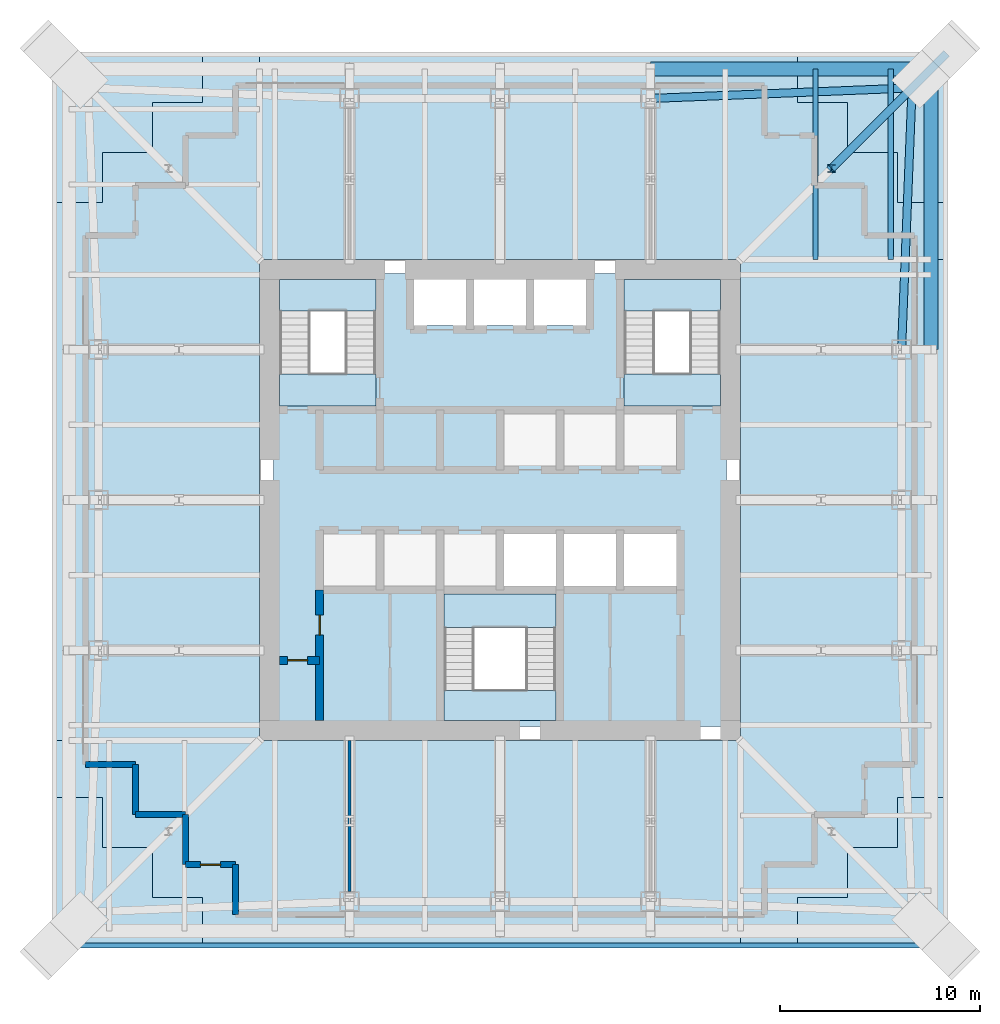
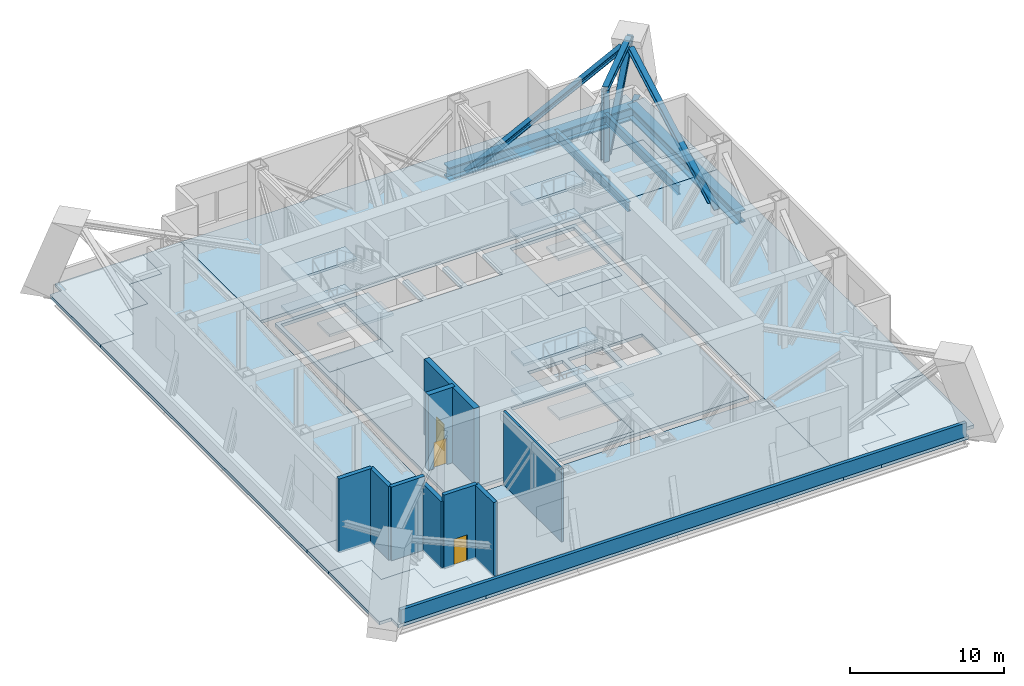
# One storey, part 4 of 9: 21 slabs, 10 walls, 6 members, 4 beams, 3 doors, 3 openings, 3 elements without a shape of their own.
"""IFC4 building model written with IfcOpenShell, lengths in metres."""

from ifc_helpers import new_model, si_unit, direction, frame, frame_2d, origin, origin_2d, place, context, subcontext, project, spatial, polyline, rectangle, i_section, outline, extrude, clip, halfspace, material, layer, layer_set, material_profile, profile_set, type_object, element, fill, aggregate, save


model = new_model("IFC4")

# Units and contexts
model_context = context("Model", 3, precision=1e-05, world=origin(), true_north=direction((0.0, 1.0)))
body_context = subcontext(model_context, "Body", "Model", "MODEL_VIEW")
ifc_project = project(units=[si_unit("LENGTHUNIT", "METRE"), si_unit("AREAUNIT", "SQUARE_METRE"), si_unit("VOLUMEUNIT", "CUBIC_METRE"), si_unit("PLANEANGLEUNIT", "RADIAN"), si_unit("MASSUNIT", "GRAM", prefix="KILO")], contexts=[model_context])

# Site, building, storey
site_placement = place(None, origin())
site = spatial("IfcSite", under=ifc_project, at=site_placement, CompositionType="ELEMENT")
building_placement = place(site_placement, origin())
building = spatial("IfcBuilding", under=site, at=building_placement, Name="Tarangal Relay Tower", CompositionType="ELEMENT")
storey_placement = place(building_placement, frame((0.0, 0.0, 253.89990234375)))
storey = spatial("IfcBuildingStorey", under=building, at=storey_placement, Name="L55", CompositionType="ELEMENT", Elevation=253.89990234375)

# Members
ifc_material_1 = material(Name="Steel ASTM A992", Category="steel")
ifc_material_profile_1 = material_profile(ifc_material_1, i_section(OverallWidth=0.40380859375, OverallDepth=0.406494140625, WebThickness=0.027099609375, FlangeThickness=0.043701171875, at=origin_2d()), Name="W14X233")
ifc_profile_set_1 = profile_set([ifc_material_profile_1], Name="Steel ASTM A992")
member_type_1 = type_object("IfcMemberType", Name="Belt truss brace W14X233", PredefinedType="BRACE", material=ifc_profile_set_1)
for number, where, z_axis, x_axis, name in (
    (1, (7.5, 20.0400390625, -0.4873046875), (0.908043977313, 0.036609871243, 0.417271916853), (-0.040284561108, 0.999188247597, 0.0), "Belt truss N L55 end brace"),
    (2, (20.0400390625, 7.5, -0.4873046875), (0.036609871243, 0.908043977313, 0.417271916853), (-0.999188247597, 0.040284561108, 0.0), "Belt truss E L55 end brace"),
):
    element("IfcMember", number, at=place(storey_placement, frame(where, z_axis=z_axis, x_axis=x_axis)), inside=storey, type_object=member_type_1, Name=name, PredefinedType="BRACE", context=body_context, shape_type="SweptSolid", body=[
        extrude(i_section(OverallWidth=0.40380859375, OverallDepth=0.406494140625, WebThickness=0.027099609375, FlangeThickness=0.043701171875, at=origin_2d()), origin(), (0.0, 0.0, 1.0), 13.930908203125),
    ])

# Beams
ifc_material_profile_2 = material_profile(ifc_material_1, i_section(OverallWidth=0.2666015625, OverallDepth=0.761962890625, WebThickness=0.014404296875, FlangeThickness=0.021484375, at=origin_2d()), Name="W30X116")
ifc_profile_set_2 = profile_set([ifc_material_profile_2], Name="Steel ASTM A992")
beam_type_1 = type_object("IfcBeamType", Name="Corner beam W30X116", PredefinedType="JOIST", material=ifc_profile_set_2)
for number, where, z_axis, x_axis, name in (
    (3, (15.75, 12.0, -0.630859375), (0.0, 1.0, 0.0), (-1.0, 0.0, 0.0), "Corner beam CB1 N L55"),
    (4, (19.5, 12.0, -0.630859375), (0.0, 1.0, 0.0), (-1.0, 0.0, 0.0), "Corner beam CB1 N L55"),
):
    element("IfcBeam", number, at=place(storey_placement, frame(where, z_axis=z_axis, x_axis=x_axis)), inside=storey, type_object=beam_type_1, Name=name, PredefinedType="JOIST", context=body_context, shape_type="SweptSolid", body=[
        extrude(i_section(OverallWidth=0.2666015625, OverallDepth=0.761962890625, WebThickness=0.014404296875, FlangeThickness=0.021484375, at=origin_2d()), origin(), (0.0, 0.0, 1.0), 9.514892578125),
    ])
ifc_material_2 = material(Name="Steel ASTM A572 Grade 50", Category="steel")
ifc_material_profile_3 = material_profile(ifc_material_2, i_section(OverallWidth=0.699951171875, OverallDepth=1.0, WebThickness=0.030029296875, FlangeThickness=0.10009765625, at=origin_2d()), Name="PG1000X700X100X30")
ifc_profile_set_3 = profile_set([ifc_material_profile_3], Name="Steel ASTM A572 Grade 50")
beam_type_2 = type_object("IfcBeamType", Name="Edge girder PG1000X700X100X30", PredefinedType="SPANDREL", material=ifc_profile_set_3)
for number, where, z_axis, x_axis, name in (
    (5, (7.5, 21.514892578125, -0.75), (1.0, 0.0, 0.0), (0.0, 1.0, 0.0), "Edge girder EG13 N L55"),
    (6, (21.514892578125, 21.64990234375, -0.75), (0.0, -1.0, 0.0), (1.0, 0.0, 0.0), "Edge girder EG13 E L55"),
):
    element("IfcBeam", number, at=place(storey_placement, frame(where, z_axis=z_axis, x_axis=x_axis)), inside=storey, type_object=beam_type_2, Name=name, PredefinedType="SPANDREL", context=body_context, shape_type="SweptSolid", body=[
        extrude(i_section(OverallWidth=0.699951171875, OverallDepth=1.0, WebThickness=0.030029296875, FlangeThickness=0.10009765625, at=origin_2d()), origin(), (0.0, 0.0, 1.0), 14.14990234375),
    ])

# Members
ifc_material_profile_4 = material_profile(ifc_material_1, i_section(OverallWidth=0.41162109375, OverallDepth=0.434326171875, WebThickness=0.035888671875, FlangeThickness=0.057373046875, at=origin_2d()), Name="W14X311")
ifc_profile_set_4 = profile_set([ifc_material_profile_4], Name="Steel ASTM A992")
member_type_2 = type_object("IfcMemberType", Name="Outrigger chord W14X311", PredefinedType="CHORD", material=ifc_profile_set_4)
member_1_placement = place(storey_placement, frame((16.5458984375, 16.5458984375, -0.467041015625), z_axis=(0.707106781187, 0.707106781187, 0.0), x_axis=(-0.707106781187, 0.707106781187, 0.0)))
element("IfcMember", 7, at=member_1_placement, inside=storey, type_object=member_type_2, Name="Outrigger NE L55 bottom chord", PredefinedType="CHORD", context=body_context, shape_type="Clipping", body=[
    clip(extrude(i_section(OverallWidth=0.41162109375, OverallDepth=0.434326171875, WebThickness=0.035888671875, FlangeThickness=0.057373046875, at=origin_2d()), origin(), (0.0, 0.0, 1.0), 8.42041015625), halfspace(frame((0.0, 0.0, 8.1298828125)), False)),
])
member_2_placement = place(storey_placement, frame((16.5458984375, 16.5458984375, 5.6328125), z_axis=(0.707106781187, 0.707106781187, 0.0), x_axis=(-0.707106781187, 0.707106781187, 0.0)))
element("IfcMember", 8, at=member_2_placement, inside=storey, type_object=member_type_2, Name="Outrigger NE L55 top chord", PredefinedType="CHORD", context=body_context, shape_type="Clipping", body=[
    clip(extrude(i_section(OverallWidth=0.41162109375, OverallDepth=0.434326171875, WebThickness=0.035888671875, FlangeThickness=0.057373046875, at=origin_2d()), origin(), (0.0, 0.0, 1.0), 6.428955078125), halfspace(frame((0.0, 0.0, 6.008544921875)), False)),
])
ifc_material_profile_5 = material_profile(ifc_material_1, i_section(OverallWidth=0.40380859375, OverallDepth=0.406494140625, WebThickness=0.027099609375, FlangeThickness=0.043701171875, at=origin_2d()), Name="W14X233")
ifc_profile_set_5 = profile_set([ifc_material_profile_5], Name="Steel ASTM A992")
member_type_3 = type_object("IfcMemberType", Name="Outrigger web W14X233", PredefinedType="STRUT", material=ifc_profile_set_5)
member_3_placement = place(storey_placement, frame((16.5458984375, 16.5458984375, -0.467041015625), z_axis=(0.0, 0.0, 1.0), x_axis=(1.0, 0.0, 0.0)))
element("IfcMember", 9, at=member_3_placement, inside=storey, type_object=member_type_3, Name="Outrigger NE L55 vertical", PredefinedType="STRUT", context=body_context, shape_type="SweptSolid", body=[
    extrude(i_section(OverallWidth=0.40380859375, OverallDepth=0.406494140625, WebThickness=0.027099609375, FlangeThickness=0.043701171875, at=origin_2d()), origin(), (0.0, 0.0, 1.0), 6.099853515625),
])
member_4_placement = place(storey_placement, frame((16.5458984375, 16.5458984375, -0.467041015625), z_axis=(0.512953687451, 0.512953687451, 0.688300101018), x_axis=(-0.707106781187, 0.707106781187, 0.0)))
element("IfcMember", 10, at=member_4_placement, inside=storey, type_object=member_type_3, Name="Outrigger NE L55 diagonal", PredefinedType="STRUT", context=body_context, shape_type="SweptSolid", body=[
    extrude(i_section(OverallWidth=0.40380859375, OverallDepth=0.406494140625, WebThickness=0.027099609375, FlangeThickness=0.043701171875, at=origin_2d()), origin(), (0.0, 0.0, 1.0), 8.8623046875),
])

# Slabs
ifc_material_3 = material(Name="Concrete fc' 35 MPa", Category="concrete")
ifc_layer_1 = layer(ifc_material_3, 0.25)
ifc_layer_set_1 = layer_set([ifc_layer_1], Name="Core floor slab 250")
slab_type_1 = type_object("IfcSlabType", Name="Core floor slab 250", PredefinedType="FLOOR", material=ifc_layer_set_1)
slab_1_placement = place(storey_placement, frame((0.0, 0.0, -0.25)))
element("IfcSlab", 11, at=slab_1_placement, inside=storey, type_object=slab_type_1, Name="Core floor slab L55", PredefinedType="FLOOR", context=body_context, shape_type="SweptSolid", body=[
    extrude(outline(polyline([(11.300048828125, 11.300048828125), (11.300048828125, -11.300048828125), (-11.300048828125, -11.300048828125), (-11.300048828125, 11.300048828125), (-4.300048828125, 11.300048828125), (-4.300048828125, 8.699951171875), (-1.699951171875, 8.699951171875), (-1.699951171875, 11.300048828125), (-1.300048828125, 11.300048828125), (-1.300048828125, 8.699951171875), (1.300048828125, 8.699951171875), (1.300048828125, 11.300048828125), (1.699951171875, 11.300048828125), (1.699951171875, 8.699951171875), (4.300048828125, 8.699951171875), (4.300048828125, 11.300048828125), (11.300048828125, 11.300048828125)]), holes=[polyline([(2.800048828125, -4.699951171875), (-2.800048828125, -4.699951171875), (-2.800048828125, -11.0), (2.800048828125, -11.0), (2.800048828125, -4.699951171875)]), polyline([(2.800048828125, -1.699951171875), (0.199951171875, -1.699951171875), (0.199951171875, -4.300048828125), (2.800048828125, -4.300048828125), (2.800048828125, -1.699951171875)]), polyline([(5.800048828125, -1.699951171875), (3.199951171875, -1.699951171875), (3.199951171875, -4.300048828125), (5.800048828125, -4.300048828125), (5.800048828125, -1.699951171875)]), polyline([(8.800048828125, -1.699951171875), (6.199951171875, -1.699951171875), (6.199951171875, -4.300048828125), (8.800048828125, -4.300048828125), (8.800048828125, -1.699951171875)]), polyline([(-6.199951171875, 11.0), (-11.0, 11.0), (-11.0, 4.699951171875), (-6.199951171875, 4.699951171875), (-6.199951171875, 11.0)]), polyline([(11.0, 11.0), (6.199951171875, 11.0), (6.199951171875, 4.699951171875), (11.0, 4.699951171875), (11.0, 11.0)])]), origin(), (0.0, 0.0, 1.0), 0.25),
])
ifc_layer_2 = layer(ifc_material_3, 0.25)
ifc_layer_set_2 = layer_set([ifc_layer_2], Name="Floor slab 250")
slab_type_2 = type_object("IfcSlabType", Name="Floor slab 250", PredefinedType="FLOOR", material=ifc_layer_set_2)
slab_2_placement = place(storey_placement, frame((0.0, 0.0, -0.25)))
element("IfcSlab", 12, at=slab_2_placement, inside=storey, type_object=slab_type_2, Name="Floor slab FS1 L55 north bay", PredefinedType="FLOOR", context=body_context, shape_type="SweptSolid", body=[
    extrude(outline(polyline([(14.85009765625, 22.35009765625), (14.85009765625, 19.85009765625), (17.35009765625, 19.85009765625), (17.35009765625, 17.35009765625), (19.85009765625, 17.35009765625), (19.85009765625, 14.85009765625), (22.35009765625, 14.85009765625), (22.35009765625, 12.0), (-12.0, 12.0), (-12.0, 22.35009765625), (14.85009765625, 22.35009765625)])), origin(), (0.0, 0.0, 1.0), 0.25),
])
slab_3_placement = place(storey_placement, frame((0.0, 0.0, -0.25)))
element("IfcSlab", 13, at=slab_3_placement, inside=storey, type_object=slab_type_2, Name="Floor slab FS1 L55 east bay", PredefinedType="FLOOR", context=body_context, shape_type="SweptSolid", body=[
    extrude(outline(polyline([(22.35009765625, -14.85009765625), (19.85009765625, -14.85009765625), (19.85009765625, -17.35009765625), (17.35009765625, -17.35009765625), (17.35009765625, -19.85009765625), (14.85009765625, -19.85009765625), (14.85009765625, -22.35009765625), (12.0, -22.35009765625), (12.0, 12.0), (22.35009765625, 12.0), (22.35009765625, -14.85009765625)])), origin(), (0.0, 0.0, 1.0), 0.25),
])
slab_4_placement = place(storey_placement, frame((0.0, 0.0, -0.25)))
element("IfcSlab", 14, at=slab_4_placement, inside=storey, type_object=slab_type_2, Name="Floor slab FS1 L55 south bay", PredefinedType="FLOOR", context=body_context, shape_type="SweptSolid", body=[
    extrude(outline(polyline([(-14.85009765625, -22.35009765625), (-14.85009765625, -19.85009765625), (-17.35009765625, -19.85009765625), (-17.35009765625, -17.35009765625), (-19.85009765625, -17.35009765625), (-19.85009765625, -14.85009765625), (-22.35009765625, -14.85009765625), (-22.35009765625, -12.0), (12.0, -12.0), (12.0, -22.35009765625), (-14.85009765625, -22.35009765625)])), origin(), (0.0, 0.0, 1.0), 0.25),
])
slab_5_placement = place(storey_placement, frame((0.0, 0.0, -0.25)))
element("IfcSlab", 15, at=slab_5_placement, inside=storey, type_object=slab_type_2, Name="Floor slab FS1 L55 west bay", PredefinedType="FLOOR", context=body_context, shape_type="SweptSolid", body=[
    extrude(outline(polyline([(-12.0, 22.35009765625), (-12.0, -12.0), (-22.35009765625, -12.0), (-22.35009765625, 14.85009765625), (-19.85009765625, 14.85009765625), (-19.85009765625, 17.35009765625), (-17.35009765625, 17.35009765625), (-17.35009765625, 19.85009765625), (-14.85009765625, 19.85009765625), (-14.85009765625, 22.35009765625), (-12.0, 22.35009765625)])), origin(), (0.0, 0.0, 1.0), 0.25),
])
ifc_layer_3 = layer(ifc_material_3, 0.25)
ifc_layer_set_3 = layer_set([ifc_layer_3], Name="Ledge slab 250")
slab_type_3 = type_object("IfcSlabType", Name="Ledge slab 250", PredefinedType="FLOOR", material=ifc_layer_set_3)
slab_6_placement = place(storey_placement, frame((0.0, 0.0, -0.25)))
element("IfcSlab", 16, at=slab_6_placement, inside=storey, type_object=slab_type_3, Name="Corner ledge NE L55", PredefinedType="FLOOR", context=body_context, shape_type="SweptSolid", body=[
    extrude(outline(polyline([(14.85009765625, 22.35009765625), (14.85009765625, 19.85009765625), (17.35009765625, 19.85009765625), (17.35009765625, 17.35009765625), (19.85009765625, 17.35009765625), (19.85009765625, 14.85009765625), (22.35009765625, 14.85009765625), (22.35009765625, 21.449951171875), (21.449951171875, 21.449951171875), (21.449951171875, 22.35009765625), (14.85009765625, 22.35009765625)])), origin(), (0.0, 0.0, 1.0), 0.25),
])
slab_7_placement = place(storey_placement, frame((0.0, 0.0, -0.25)))
element("IfcSlab", 17, at=slab_7_placement, inside=storey, type_object=slab_type_3, Name="Corner ledge SE L55", PredefinedType="FLOOR", context=body_context, shape_type="SweptSolid", body=[
    extrude(outline(polyline([(22.35009765625, -14.85009765625), (19.85009765625, -14.85009765625), (19.85009765625, -17.35009765625), (17.35009765625, -17.35009765625), (17.35009765625, -19.85009765625), (14.85009765625, -19.85009765625), (14.85009765625, -22.35009765625), (21.449951171875, -22.35009765625), (21.449951171875, -21.449951171875), (22.35009765625, -21.449951171875), (22.35009765625, -14.85009765625)])), origin(), (0.0, 0.0, 1.0), 0.25),
])
slab_8_placement = place(storey_placement, frame((0.0, 0.0, -0.25)))
element("IfcSlab", 18, at=slab_8_placement, inside=storey, type_object=slab_type_3, Name="Corner ledge SW L55", PredefinedType="FLOOR", context=body_context, shape_type="SweptSolid", body=[
    extrude(outline(polyline([(-14.85009765625, -22.35009765625), (-14.85009765625, -19.85009765625), (-17.35009765625, -19.85009765625), (-17.35009765625, -17.35009765625), (-19.85009765625, -17.35009765625), (-19.85009765625, -14.85009765625), (-22.35009765625, -14.85009765625), (-22.35009765625, -21.449951171875), (-21.449951171875, -21.449951171875), (-21.449951171875, -22.35009765625), (-14.85009765625, -22.35009765625)])), origin(), (0.0, 0.0, 1.0), 0.25),
])
slab_9_placement = place(storey_placement, frame((0.0, 0.0, -0.25)))
element("IfcSlab", 19, at=slab_9_placement, inside=storey, type_object=slab_type_3, Name="Corner ledge NW L55", PredefinedType="FLOOR", context=body_context, shape_type="SweptSolid", body=[
    extrude(outline(polyline([(-22.35009765625, 14.85009765625), (-19.85009765625, 14.85009765625), (-19.85009765625, 17.35009765625), (-17.35009765625, 17.35009765625), (-17.35009765625, 19.85009765625), (-14.85009765625, 19.85009765625), (-14.85009765625, 22.35009765625), (-21.449951171875, 22.35009765625), (-21.449951171875, 21.449951171875), (-22.35009765625, 21.449951171875), (-22.35009765625, 14.85009765625)])), origin(), (0.0, 0.0, 1.0), 0.25),
])

# Stair, slabs
ifc_material_4 = material(Name="Steel ASTM A992 stair flight", Category="steel")
stair_type = type_object("IfcStairType", Name="Core stair 1500", PredefinedType="HALF_TURN_STAIR", material=ifc_material_4)
stair_1_placement = place(storey_placement, origin())
stair_1 = element("IfcStair", 20, at=stair_1_placement, inside=storey, type_object=stair_type, Name="Stair ST-A L55", PredefinedType="HALF_TURN_STAIR")
ifc_layer_4 = layer(ifc_material_3, 0.199951171875)
ifc_layer_set_4 = layer_set([ifc_layer_4], Name="Stair landing 200")
slab_type_4 = type_object("IfcSlabType", Name="Stair landing 200", PredefinedType="LANDING", material=ifc_layer_set_4)
slab_10_placement = place(storey_placement, frame((0.0, 0.0, -0.199951171875)))
slab_10 = element("IfcSlab", 21, at=slab_10_placement, type_object=slab_type_4, Name="ST-A landing 1", PredefinedType="LANDING", context=body_context, shape_type="SweptSolid", body=[
    extrude(outline(polyline([(-11.0, 4.699951171875), (-6.199951171875, 4.699951171875), (-6.199951171875, 6.300048828125), (-11.0, 6.300048828125), (-11.0, 4.699951171875)])), origin(), (0.0, 0.0, 1.0), 0.199951171875),
])
slab_11_placement = place(storey_placement, frame((0.0, 0.0, 1.300048828125)))
slab_11 = element("IfcSlab", 22, at=slab_11_placement, type_object=slab_type_4, Name="ST-A landing 2", PredefinedType="LANDING", context=body_context, shape_type="SweptSolid", body=[
    extrude(outline(polyline([(-11.0, 9.431884765625), (-6.199951171875, 9.431884765625), (-6.199951171875, 11.0), (-11.0, 11.0), (-11.0, 9.431884765625)])), origin(), (0.0, 0.0, 1.0), 0.199951171875),
])
slab_12_placement = place(storey_placement, frame((0.0, 0.0, 2.800048828125)))
slab_12 = element("IfcSlab", 23, at=slab_12_placement, type_object=slab_type_4, Name="ST-A landing 3", PredefinedType="LANDING", context=body_context, shape_type="SweptSolid", body=[
    extrude(outline(polyline([(-11.0, 4.699951171875), (-6.199951171875, 4.699951171875), (-6.199951171875, 6.300048828125), (-11.0, 6.300048828125), (-11.0, 4.699951171875)])), origin(), (0.0, 0.0, 1.0), 0.199951171875),
])
slab_13_placement = place(storey_placement, frame((0.0, 0.0, 4.300048828125)))
slab_13 = element("IfcSlab", 24, at=slab_13_placement, type_object=slab_type_4, Name="ST-A landing 4", PredefinedType="LANDING", context=body_context, shape_type="SweptSolid", body=[
    extrude(outline(polyline([(-11.0, 9.431884765625), (-6.199951171875, 9.431884765625), (-6.199951171875, 11.0), (-11.0, 11.0), (-11.0, 9.431884765625)])), origin(), (0.0, 0.0, 1.0), 0.199951171875),
])
aggregate(stair_1, [slab_10, slab_11, slab_12, slab_13])

stair_2_placement = place(storey_placement, origin())
stair_2 = element("IfcStair", 25, at=stair_2_placement, inside=storey, type_object=stair_type, Name="Stair ST-B L55", PredefinedType="HALF_TURN_STAIR")
slab_14_placement = place(storey_placement, frame((0.0, 0.0, -0.199951171875)))
slab_14 = element("IfcSlab", 26, at=slab_14_placement, type_object=slab_type_4, Name="ST-B landing 1", PredefinedType="LANDING", context=body_context, shape_type="SweptSolid", body=[
    extrude(outline(polyline([(6.199951171875, 4.699951171875), (11.0, 4.699951171875), (11.0, 6.300048828125), (6.199951171875, 6.300048828125), (6.199951171875, 4.699951171875)])), origin(), (0.0, 0.0, 1.0), 0.199951171875),
])
slab_15_placement = place(storey_placement, frame((0.0, 0.0, 1.300048828125)))
slab_15 = element("IfcSlab", 27, at=slab_15_placement, type_object=slab_type_4, Name="ST-B landing 2", PredefinedType="LANDING", context=body_context, shape_type="SweptSolid", body=[
    extrude(outline(polyline([(6.199951171875, 9.431884765625), (11.0, 9.431884765625), (11.0, 11.0), (6.199951171875, 11.0), (6.199951171875, 9.431884765625)])), origin(), (0.0, 0.0, 1.0), 0.199951171875),
])
slab_16_placement = place(storey_placement, frame((0.0, 0.0, 2.800048828125)))
slab_16 = element("IfcSlab", 28, at=slab_16_placement, type_object=slab_type_4, Name="ST-B landing 3", PredefinedType="LANDING", context=body_context, shape_type="SweptSolid", body=[
    extrude(outline(polyline([(6.199951171875, 4.699951171875), (11.0, 4.699951171875), (11.0, 6.300048828125), (6.199951171875, 6.300048828125), (6.199951171875, 4.699951171875)])), origin(), (0.0, 0.0, 1.0), 0.199951171875),
])
slab_17_placement = place(storey_placement, frame((0.0, 0.0, 4.300048828125)))
slab_17 = element("IfcSlab", 29, at=slab_17_placement, type_object=slab_type_4, Name="ST-B landing 4", PredefinedType="LANDING", context=body_context, shape_type="SweptSolid", body=[
    extrude(outline(polyline([(6.199951171875, 9.431884765625), (11.0, 9.431884765625), (11.0, 11.0), (6.199951171875, 11.0), (6.199951171875, 9.431884765625)])), origin(), (0.0, 0.0, 1.0), 0.199951171875),
])
aggregate(stair_2, [slab_14, slab_15, slab_16, slab_17])

stair_3_placement = place(storey_placement, origin())
stair_3 = element("IfcStair", 30, at=stair_3_placement, inside=storey, type_object=stair_type, Name="Stair ST-C L55", PredefinedType="HALF_TURN_STAIR")
slab_18_placement = place(storey_placement, frame((0.0, 0.0, -0.199951171875)))
slab_18 = element("IfcSlab", 31, at=slab_18_placement, type_object=slab_type_4, Name="ST-C landing 1", PredefinedType="LANDING", context=body_context, shape_type="SweptSolid", body=[
    extrude(outline(polyline([(-2.800048828125, -11.0), (2.800048828125, -11.0), (2.800048828125, -9.5), (-2.800048828125, -9.5), (-2.800048828125, -11.0)])), origin(), (0.0, 0.0, 1.0), 0.199951171875),
])
slab_19_placement = place(storey_placement, frame((0.0, 0.0, 1.300048828125)))
slab_19 = element("IfcSlab", 32, at=slab_19_placement, type_object=slab_type_4, Name="ST-C landing 2", PredefinedType="LANDING", context=body_context, shape_type="SweptSolid", body=[
    extrude(outline(polyline([(-2.800048828125, -6.367919921875), (2.800048828125, -6.367919921875), (2.800048828125, -4.699951171875), (-2.800048828125, -4.699951171875), (-2.800048828125, -6.367919921875)])), origin(), (0.0, 0.0, 1.0), 0.199951171875),
])
slab_20_placement = place(storey_placement, frame((0.0, 0.0, 2.800048828125)))
slab_20 = element("IfcSlab", 33, at=slab_20_placement, type_object=slab_type_4, Name="ST-C landing 3", PredefinedType="LANDING", context=body_context, shape_type="SweptSolid", body=[
    extrude(outline(polyline([(-2.800048828125, -11.0), (2.800048828125, -11.0), (2.800048828125, -9.5), (-2.800048828125, -9.5), (-2.800048828125, -11.0)])), origin(), (0.0, 0.0, 1.0), 0.199951171875),
])
slab_21_placement = place(storey_placement, frame((0.0, 0.0, 4.300048828125)))
slab_21 = element("IfcSlab", 34, at=slab_21_placement, type_object=slab_type_4, Name="ST-C landing 4", PredefinedType="LANDING", context=body_context, shape_type="SweptSolid", body=[
    extrude(outline(polyline([(-2.800048828125, -6.367919921875), (2.800048828125, -6.367919921875), (2.800048828125, -4.699951171875), (-2.800048828125, -4.699951171875), (-2.800048828125, -6.367919921875)])), origin(), (0.0, 0.0, 1.0), 0.199951171875),
])
aggregate(stair_3, [slab_18, slab_19, slab_20, slab_21])

# Wall, opening, door
ifc_material_5 = material(Name="Concrete fc' 60 MPa", Category="concrete")
ifc_layer_5 = layer(ifc_material_5, 0.39990234375)
ifc_layer_set_5 = layer_set([ifc_layer_5], Name="Core inner wall 400")
wall_type_1 = type_object("IfcWallType", Name="Core inner wall 400", PredefinedType="SHEAR", material=ifc_layer_set_5)
wall_1_placement = place(storey_placement, frame((-11.0, -8.0, 0.0), z_axis=(0.0, 0.0, 1.0), x_axis=(1.0, 0.0, 0.0)))
wall_1 = element("IfcWall", 35, at=wall_1_placement, inside=storey, type_object=wall_type_1, Name="Core wall YM8 L55", PredefinedType="SHEAR", context=body_context, shape_type="SweptSolid", body=[
    extrude(rectangle(XDim=2.0, YDim=0.39990234375, at=frame_2d((1.0, 0.0))), origin(), (0.0, 0.0, 1.0), 6.0),
])
opening_1_placement = place(wall_1_placement, frame((0.39990234375, 0.0, 0.0)))
opening_1 = element("IfcOpeningElement", 36, at=opening_1_placement, cuts=wall_1, Name="Opening D1", PredefinedType="OPENING", context=body_context, shape_type="SweptSolid", body=[
    extrude(rectangle(XDim=1.0, YDim=2.10009765625, at=frame_2d((0.5, 1.050048828125))), frame((0.0, 0.2099609375, 0.0), z_axis=(0.0, -1.0, 0.0), x_axis=(1.0, 0.0, 0.0)), (0.0, 0.0, 1.0), 0.419921875),
])
ifc_material_6 = material(Name="Hardwood door", Category="wood")
door_type_1 = type_object("IfcDoorType", Name="WC door 1000 x 2100", OperationType="SINGLE_SWING_LEFT", PredefinedType="DOOR", material=ifc_material_6)
door_1_placement = place(opening_1_placement, origin())
door_1 = element("IfcDoor", 37, at=door_1_placement, inside=storey, type_object=door_type_1, Name="Accessible WC door L55", OperationType="SINGLE_SWING_LEFT", OverallHeight=2.10009765625, OverallWidth=1.0, PredefinedType="DOOR", context=body_context, shape_type="SweptSolid", body=[
    extrude(rectangle(XDim=1.0, YDim=2.10009765625, at=frame_2d((0.5, 1.050048828125))), frame((0.0, 0.02490234375, 0.0), z_axis=(0.0, -1.0, 0.0), x_axis=(1.0, 0.0, 0.0)), (0.0, 0.0, 1.0), 0.050048828125),
])
fill(opening_1, door_1)

wall_2_placement = place(storey_placement, frame((-9.0, -11.0, 0.0), z_axis=(0.0, 0.0, 1.0), x_axis=(0.0, 1.0, 0.0)))
wall_2 = element("IfcWall", 38, at=wall_2_placement, inside=storey, type_object=wall_type_1, Name="Core wall XM9W L55", PredefinedType="SHEAR", context=body_context, shape_type="SweptSolid", body=[
    extrude(rectangle(XDim=6.5, YDim=0.39990234375, at=frame_2d((3.25, 0.0))), origin(), (0.0, 0.0, 1.0), 6.0),
])
opening_2_placement = place(wall_2_placement, frame((4.25, 0.0, 0.0)))
opening_2 = element("IfcOpeningElement", 39, at=opening_2_placement, cuts=wall_2, Name="Opening D1", PredefinedType="OPENING", context=body_context, shape_type="SweptSolid", body=[
    extrude(rectangle(XDim=1.0, YDim=2.10009765625, at=frame_2d((0.5, 1.050048828125))), frame((0.0, 0.2099609375, 0.0), z_axis=(0.0, -1.0, 0.0), x_axis=(1.0, 0.0, 0.0)), (0.0, 0.0, 1.0), 0.419921875),
])
door_2_placement = place(opening_2_placement, origin())
door_2 = element("IfcDoor", 40, at=door_2_placement, inside=storey, type_object=door_type_1, Name="Male WC door L55", OperationType="SINGLE_SWING_LEFT", OverallHeight=2.10009765625, OverallWidth=1.0, PredefinedType="DOOR", context=body_context, shape_type="SweptSolid", body=[
    extrude(rectangle(XDim=1.0, YDim=2.10009765625, at=frame_2d((0.5, 1.050048828125))), frame((0.0, 0.02490234375, 0.0), z_axis=(0.0, -1.0, 0.0), x_axis=(1.0, 0.0, 0.0)), (0.0, 0.0, 1.0), 0.050048828125),
])
fill(opening_2, door_2)

# Wall
ifc_material_7 = material(Name="Insulated precast concrete fc' 40 MPa", Category="concrete")
ifc_layer_6 = layer(ifc_material_7, 0.300048828125)
ifc_layer_set_6 = layer_set([ifc_layer_6], Name="Insulated precast concrete fc' 40 MPa")
wall_type_2 = type_object("IfcWallType", Name="Facade wall precast 300", PredefinedType="SOLIDWALL", material=ifc_layer_set_6)
wall_3_placement = place(storey_placement, frame((-13.199951171875, -20.699951171875, 0.0), z_axis=(0.0, 0.0, 1.0), x_axis=(0.0, 1.0, 0.0)))
element("IfcWall", 41, at=wall_3_placement, inside=storey, type_object=wall_type_2, Name="Facade wall S facade L55", PredefinedType="SOLIDWALL", context=body_context, shape_type="SweptSolid", body=[
    extrude(rectangle(XDim=2.5, YDim=0.300048828125, at=frame_2d((1.25, 0.0))), origin(), (0.0, 0.0, 1.0), 5.85009765625),
])

# Wall, opening, door
wall_4_placement = place(storey_placement, frame((-13.199951171875, -18.199951171875, 0.0), z_axis=(0.0, 0.0, 1.0), x_axis=(-1.0, 0.0, 0.0)))
wall_4 = element("IfcWall", 42, at=wall_4_placement, inside=storey, type_object=wall_type_2, Name="Facade wall S facade L55", PredefinedType="SOLIDWALL", context=body_context, shape_type="SweptSolid", body=[
    extrude(rectangle(XDim=2.5, YDim=0.300048828125, at=frame_2d((1.25, 0.0))), origin(), (0.0, 0.0, 1.0), 5.85009765625),
])
opening_3_placement = place(wall_4_placement, frame((0.75, 0.0, 0.0)))
opening_3 = element("IfcOpeningElement", 43, at=opening_3_placement, cuts=wall_4, Name="Opening MD1", PredefinedType="OPENING", context=body_context, shape_type="SweptSolid", body=[
    extrude(rectangle(XDim=1.0, YDim=2.10009765625, at=frame_2d((0.5, 1.050048828125))), frame((0.0, 0.159912109375, 0.0), z_axis=(0.0, -1.0, 0.0), x_axis=(1.0, 0.0, 0.0)), (0.0, 0.0, 1.0), 0.320068359375),
])
ifc_material_8 = material(Name="Steel door with hardwood frame", Category="steel")
door_type_2 = type_object("IfcDoorType", Name="Maintenance access door 1000 x 2100", OperationType="SINGLE_SWING_RIGHT", PredefinedType="DOOR", material=ifc_material_8)
door_3_placement = place(opening_3_placement, origin())
door_3 = element("IfcDoor", 44, at=door_3_placement, inside=storey, type_object=door_type_2, Name="Maintenance access door MD1 SW L55", OperationType="SINGLE_SWING_RIGHT", OverallHeight=2.10009765625, OverallWidth=1.0, PredefinedType="DOOR", context=body_context, shape_type="SweptSolid", body=[
    extrude(rectangle(XDim=1.0, YDim=2.10009765625, at=frame_2d((0.5, 1.050048828125))), frame((0.0, 0.02490234375, 0.0), z_axis=(0.0, -1.0, 0.0), x_axis=(1.0, 0.0, 0.0)), (0.0, 0.0, 1.0), 0.050048828125),
])
fill(opening_3, door_3)

# Walls
wall_5_placement = place(storey_placement, frame((-15.699951171875, -18.199951171875, 0.0), z_axis=(0.0, 0.0, 1.0), x_axis=(0.0, 1.0, 0.0)))
element("IfcWall", 45, at=wall_5_placement, inside=storey, type_object=wall_type_2, Name="Facade wall S facade L55", PredefinedType="SOLIDWALL", context=body_context, shape_type="SweptSolid", body=[
    extrude(rectangle(XDim=2.5, YDim=0.300048828125, at=frame_2d((1.25, 0.0))), origin(), (0.0, 0.0, 1.0), 5.306396484375),
])
for number, where, z_axis, x_axis, name in (
    (46, (-15.699951171875, -15.699951171875, 0.0), (0.0, 0.0, 1.0), (-1.0, 0.0, 0.0), "Facade wall S facade L55"),
    (47, (-18.199951171875, -15.699951171875, 0.0), (0.0, 0.0, 1.0), (0.0, 1.0, 0.0), "Facade wall S facade L55"),
    (48, (-18.199951171875, -13.199951171875, 0.0), (0.0, 0.0, 1.0), (-1.0, 0.0, 0.0), "Facade wall S facade L55"),
):
    element("IfcWall", number, at=place(storey_placement, frame(where, z_axis=z_axis, x_axis=x_axis)), inside=storey, type_object=wall_type_2, Name=name, PredefinedType="SOLIDWALL", context=body_context, shape_type="SweptSolid", body=[
        extrude(rectangle(XDim=2.5, YDim=0.300048828125, at=frame_2d((1.25, 0.0))), origin(), (0.0, 0.0, 1.0), 5.85009765625),
    ])
ifc_material_9 = material(Name="Concrete parapet with metal coping", Category="concrete")
ifc_layer_7 = layer(ifc_material_9, 0.25)
ifc_layer_set_7 = layer_set([ifc_layer_7], Name="Parapet 250")
wall_type_3 = type_object("IfcWallType", Name="Parapet 250", PredefinedType="PARAPET", material=ifc_layer_set_7)
wall_6_placement = place(storey_placement, frame((21.25, -22.22509765625, 0.0), z_axis=(0.0, 0.0, 1.0), x_axis=(-1.0, 0.0, 0.0)))
element("IfcWall", 49, at=wall_6_placement, inside=storey, type_object=wall_type_3, Name="Ledge parapet PP1 L55", PredefinedType="PARAPET", context=body_context, shape_type="SweptSolid", body=[
    extrude(rectangle(XDim=42.5, YDim=0.25, at=frame_2d((21.25, 0.0))), origin(), (0.0, 0.0, 1.0), 1.10009765625),
])
ifc_material_10 = material(Name="Gypsum board on steel studs", Category="steel")
ifc_layer_8 = layer(ifc_material_10, 0.14990234375)
ifc_layer_set_8 = layer_set([ifc_layer_8], Name="Partition 150")
wall_type_4 = type_object("IfcWallType", Name="Partition 150", PredefinedType="PARTITIONING", material=ifc_layer_set_8)
wall_7_placement = place(storey_placement, frame((-7.5, -12.0, 0.0), z_axis=(0.0, 0.0, 1.0), x_axis=(0.0, -1.0, 0.0)))
element("IfcWall", 50, at=wall_7_placement, inside=storey, type_object=wall_type_4, Name="Partition PT1 L55", PredefinedType="PARTITIONING", context=body_context, shape_type="SweptSolid", body=[
    extrude(rectangle(XDim=7.5400390625, YDim=0.14990234375, at=frame_2d((3.77001953125, 0.0))), origin(), (0.0, 0.0, 1.0), 5.85009765625),
])

save(model, "model.ifc")
